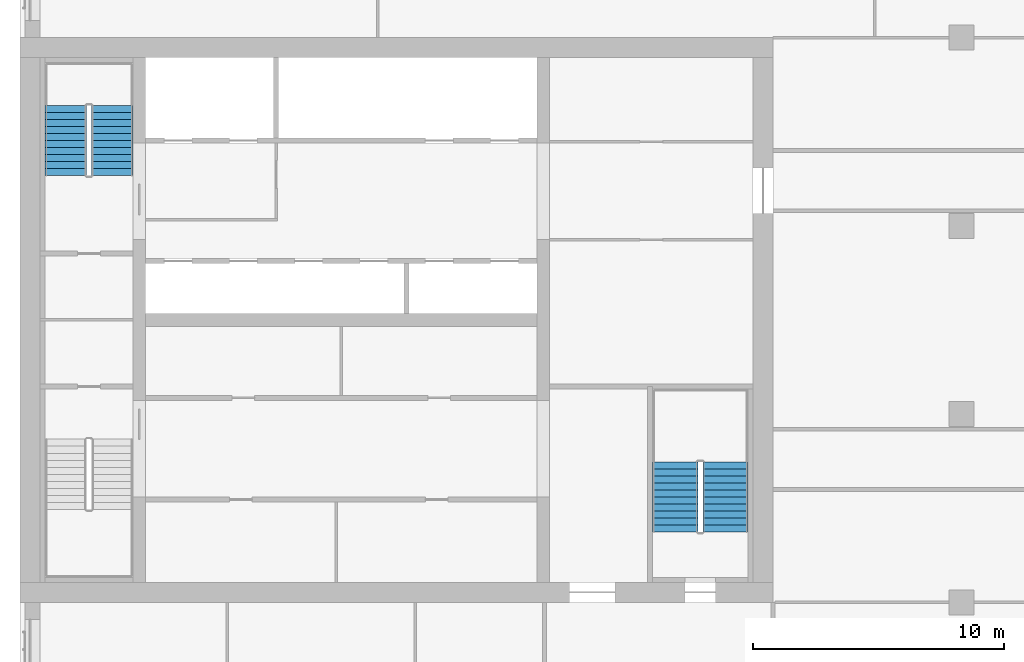
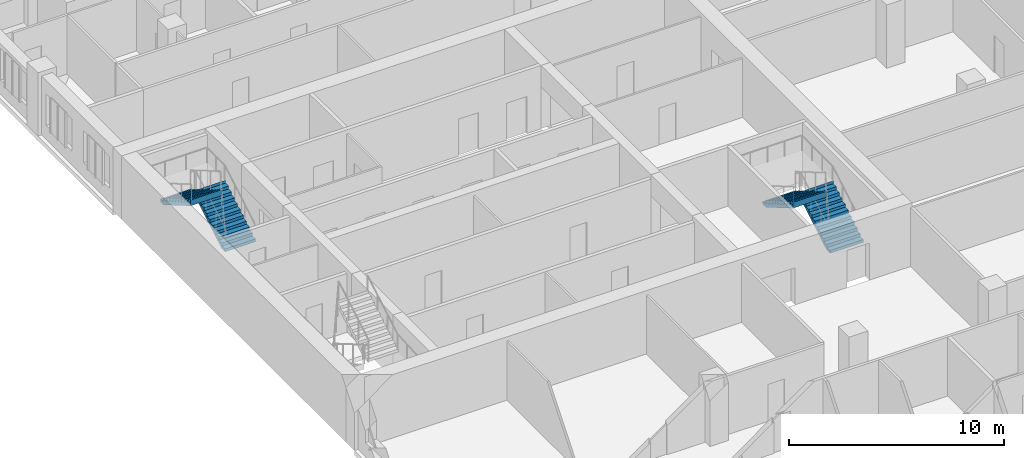
# One storey, part 12 of 13: 4 stair flights, 2 elements without a shape of their own.
"""IFC4 building model written with IfcOpenShell, lengths in metres."""

from ifc_helpers import new_model, si_unit, direction, frame, origin, place, context, subcontext, project, spatial, polyline, outline, extrude, material, type_object, element, aggregate, save


model = new_model("IFC4")

# Units and contexts
model_context = context("Model", 3, precision=1e-05, world=origin(), true_north=direction((0.0, 1.0)))
body_context = subcontext(model_context, "Body", "Model", "MODEL_VIEW")
ifc_project = project(units=[si_unit("LENGTHUNIT", "METRE"), si_unit("AREAUNIT", "SQUARE_METRE"), si_unit("VOLUMEUNIT", "CUBIC_METRE"), si_unit("PLANEANGLEUNIT", "RADIAN"), si_unit("MASSUNIT", "GRAM", prefix="KILO")], contexts=[model_context])

# Site, building, storey
site_placement = place(None, origin())
site = spatial("IfcSite", under=ifc_project, at=site_placement, CompositionType="ELEMENT")
building_placement = place(site_placement, origin())
building = spatial("IfcBuilding", under=site, at=building_placement, Name="Tamorin Gate", CompositionType="ELEMENT")
storey_placement = place(building_placement, frame((0.0, 0.0, 130.199951171875)))
storey = spatial("IfcBuildingStorey", under=building, at=storey_placement, Name="L31", CompositionType="ELEMENT", Elevation=130.199951171875)

# Stair, stair flights
ifc_material = material(Name="Concrete C40/50", Category="concrete")
stair_type = type_object("IfcStairType", Name="Exit stair", PredefinedType="HALF_TURN_STAIR", material=ifc_material)
stair_1_placement = place(storey_placement, origin())
stair_1 = element("IfcStair", 1, at=stair_1_placement, inside=storey, type_object=stair_type, Name="L31 stair ST2", PredefinedType="HALF_TURN_STAIR")
stair_flight_type = type_object("IfcStairFlightType", Name="Exit stair flight", PredefinedType="STRAIGHT", material=ifc_material)
stair_flight_1_placement = place(storey_placement, frame((33.675048828125, 77.0, 0.0), z_axis=(0.0, 0.0, 1.0), x_axis=(0.0, 1.0, 0.0)))
stair_flight_1 = element("IfcStairFlight", 2, at=stair_flight_1_placement, type_object=stair_flight_type, Name="ST2 flight 1", NumberOfRisers=11, NumberOfTreads=10, PredefinedType="STRAIGHT", RiserHeight=0.163636364, TreadLength=0.28, context=body_context, shape_type="SweptSolid", body=[
    extrude(outline(polyline([(-0.00048828125, 0.0), (-0.00048828125, 0.001708984375), (-0.00048828125, 0.003173828125), (-0.00048828125, 0.0048828125), (-0.00048828125, 0.006591796875), (-0.00048828125, 0.008056640625), (-0.00048828125, 0.009765625), (-0.00048828125, 0.01123046875), (-0.00048828125, 0.012939453125), (-0.00048828125, 0.0146484375), (-0.00048828125, 0.01611328125), (-0.00048828125, 0.017822265625), (-0.00048828125, 0.01953125), (-0.00048828125, 0.02099609375), (-0.00048828125, 0.022705078125), (-0.00048828125, 0.0244140625), (-0.00048828125, 0.02587890625), (-0.00048828125, 0.027587890625), (-0.00048828125, 0.029052734375), (-0.00048828125, 0.03076171875), (-0.00048828125, 0.032470703125), (-0.00048828125, 0.033935546875), (-0.00048828125, 0.03564453125), (-0.00048828125, 0.037353515625), (-0.00048828125, 0.038818359375), (-0.00048828125, 0.04052734375), (-0.00048828125, 0.042236328125), (-0.00048828125, 0.043701171875), (-0.00048828125, 0.04541015625), (-0.00048828125, 0.046875), (-0.00048828125, 0.048583984375), (-0.00048828125, 0.05029296875), (-0.00048828125, 0.0517578125), (-0.00048828125, 0.053466796875), (-0.00048828125, 0.05517578125), (-0.00048828125, 0.056640625), (-0.00048828125, 0.058349609375), (-0.00048828125, 0.06005859375), (-0.00048828125, 0.0615234375), (-0.00048828125, 0.063232421875), (-0.00048828125, 0.064697265625), (-0.00048828125, 0.06640625), (-0.00048828125, 0.068115234375), (-0.00048828125, 0.069580078125), (-0.00048828125, 0.0712890625), (-0.00048828125, 0.072998046875), (-0.00048828125, 0.074462890625), (-0.00048828125, 0.076171875), (-0.00048828125, 0.077880859375), (-0.00048828125, 0.079345703125), (-0.00048828125, 0.0810546875), (-0.00048828125, 0.08251953125), (-0.00048828125, 0.084228515625), (-0.00048828125, 0.0859375), (-0.00048828125, 0.08740234375), (-0.00048828125, 0.089111328125), (-0.00048828125, 0.0908203125), (-0.00048828125, 0.09228515625), (-0.00048828125, 0.093994140625), (-0.00048828125, 0.095703125), (-0.00048828125, 0.09716796875), (-0.00048828125, 0.098876953125), (-0.00048828125, 0.100341796875), (-0.00048828125, 0.10205078125), (-0.00048828125, 0.103759765625), (-0.00048828125, 0.105224609375), (-0.00048828125, 0.10693359375), (-0.00048828125, 0.108642578125), (-0.00048828125, 0.110107421875), (-0.00048828125, 0.11181640625), (-0.00048828125, 0.113525390625), (-0.00048828125, 0.114990234375), (-0.00048828125, 0.11669921875), (-0.00048828125, 0.1181640625), (-0.00048828125, 0.119873046875), (-0.00048828125, 0.12158203125), (-0.00048828125, 0.123046875), (-0.00048828125, 0.124755859375), (-0.00048828125, 0.12646484375), (-0.00048828125, 0.1279296875), (-0.00048828125, 0.129638671875), (-0.00048828125, 0.13134765625), (-0.00048828125, 0.1328125), (-0.00048828125, 0.134521484375), (-0.00048828125, 0.135986328125), (-0.00048828125, 0.1376953125), (-0.00048828125, 0.139404296875), (-0.00048828125, 0.140869140625), (-0.00048828125, 0.142578125), (-0.00048828125, 0.144287109375), (-0.00048828125, 0.145751953125), (-0.00048828125, 0.1474609375), (-0.00048828125, 0.149169921875), (-0.00048828125, 0.150634765625), (-0.00048828125, 0.15234375), (-0.00048828125, 0.15380859375), (-0.00048828125, 0.155517578125), (-0.00048828125, 0.1572265625), (-0.00048828125, 0.15869140625), (-0.00048828125, 0.160400390625), (-0.00048828125, 0.162109375), (-0.00048828125, 0.16357421875), (0.280029296875, 0.16357421875), (0.280029296875, 0.327392578125), (0.56005859375, 0.327392578125), (0.56005859375, 0.490966796875), (0.840087890625, 0.490966796875), (0.840087890625, 0.654541015625), (1.1201171875, 0.654541015625), (1.1201171875, 0.818115234375), (1.39990234375, 0.818115234375), (1.39990234375, 0.98193359375), (1.679931640625, 0.98193359375), (1.679931640625, 1.1455078125), (1.9599609375, 1.1455078125), (1.9599609375, 1.30908203125), (2.239990234375, 1.30908203125), (2.239990234375, 1.47265625), (2.52001953125, 1.47265625), (2.52001953125, 1.636474609375), (2.800048828125, 1.636474609375), (2.800048828125, 1.800048828125), (2.800537109375, 1.800048828125), (2.800537109375, 1.796630859375), (2.800537109375, 1.793212890625), (2.800537109375, 1.7900390625), (2.800537109375, 1.78662109375), (2.800537109375, 1.783203125), (2.800537109375, 1.780029296875), (2.800537109375, 1.776611328125), (2.800537109375, 1.773193359375), (2.800537109375, 1.77001953125), (2.800537109375, 1.7666015625), (2.800537109375, 1.76318359375), (2.800537109375, 1.760009765625), (2.800537109375, 1.756591796875), (2.800537109375, 1.753173828125), (2.800537109375, 1.75), (2.800537109375, 1.74658203125), (2.800537109375, 1.7431640625), (2.800537109375, 1.739990234375), (2.800537109375, 1.736572265625), (2.800537109375, 1.733154296875), (2.800537109375, 1.72998046875), (2.800537109375, 1.7265625), (2.800537109375, 1.72314453125), (2.800537109375, 1.719970703125), (2.800537109375, 1.716552734375), (2.800537109375, 1.713134765625), (2.800537109375, 1.7099609375), (2.800537109375, 1.70654296875), (2.800537109375, 1.703125), (2.800537109375, 1.69970703125), (2.800537109375, 1.696533203125), (2.800537109375, 1.693115234375), (2.800537109375, 1.689697265625), (2.800537109375, 1.6865234375), (2.800537109375, 1.68310546875), (2.800537109375, 1.6796875), (2.800537109375, 1.676513671875), (2.800537109375, 1.673095703125), (2.800537109375, 1.669677734375), (2.800537109375, 1.66650390625), (2.800537109375, 1.6630859375), (2.800537109375, 1.65966796875), (2.800537109375, 1.656494140625), (2.800537109375, 1.653076171875), (2.800537109375, 1.649658203125), (2.800537109375, 1.646484375), (2.800537109375, 1.64306640625), (2.800537109375, 1.6396484375), (2.800537109375, 1.636474609375), (2.800537109375, 1.633056640625), (2.800537109375, 1.629638671875), (2.800537109375, 1.62646484375), (2.800537109375, 1.623046875), (2.800537109375, 1.61962890625), (2.800537109375, 1.616455078125), (2.800537109375, 1.613037109375), (2.800537109375, 1.609619140625), (2.800537109375, 1.6064453125), (2.800537109375, 1.60302734375), (2.800537109375, 1.599609375), (2.800537109375, 1.59619140625), (2.800537109375, 1.593017578125), (2.800537109375, 1.589599609375), (2.800537109375, 1.586181640625), (2.800537109375, 1.5830078125), (2.800537109375, 1.57958984375), (2.800537109375, 1.576171875), (2.800537109375, 1.572998046875), (2.800537109375, 1.569580078125), (2.800537109375, 1.566162109375), (2.800537109375, 1.56298828125), (2.800537109375, 1.5595703125), (2.800537109375, 1.55615234375), (2.800537109375, 1.552978515625), (2.800537109375, 1.549560546875), (2.800537109375, 1.546142578125), (2.800537109375, 1.54296875), (2.800537109375, 1.53955078125), (2.800537109375, 1.5361328125), (2.800537109375, 1.532958984375), (2.800537109375, 1.529541015625), (2.800537109375, 1.526123046875), (2.800537109375, 1.52294921875), (2.800537109375, 1.51953125), (2.800537109375, 1.51611328125), (2.800537109375, 1.512939453125), (2.800537109375, 1.509521484375), (2.800537109375, 1.506103515625), (2.800537109375, 1.5029296875), (2.800537109375, 1.49951171875), (2.800537109375, 1.49609375), (2.800537109375, 1.49267578125), (2.800537109375, 1.489501953125), (2.800537109375, 1.486083984375), (2.800537109375, 1.482666015625), (2.800537109375, 1.4794921875), (2.800537109375, 1.47607421875), (2.800537109375, 1.47265625), (2.800537109375, 1.469482421875), (2.800537109375, 1.466064453125), (2.800537109375, 1.462646484375), (2.800048828125, 1.462646484375), (0.297119140625, 0.0), (-0.00048828125, 0.0)])), frame((0.0, 0.824951171875, 0.0), z_axis=(0.0, -1.0, 0.0), x_axis=(1.0, 0.0, 0.0)), (0.0, 0.0, 1.0), 1.64990234375),
])
stair_flight_2_placement = place(storey_placement, frame((31.824951171875, 79.800048828125, 1.800048828125), z_axis=(0.0, 0.0, 1.0), x_axis=(0.0, -1.0, 0.0)))
stair_flight_2 = element("IfcStairFlight", 3, at=stair_flight_2_placement, type_object=stair_flight_type, Name="ST2 flight 2", NumberOfRisers=11, NumberOfTreads=10, PredefinedType="STRAIGHT", RiserHeight=0.163636364, TreadLength=0.28, context=body_context, shape_type="SweptSolid", body=[
    extrude(outline(polyline([(-0.00048828125, 0.0), (-0.00048828125, 0.001708984375), (-0.00048828125, 0.003173828125), (-0.00048828125, 0.0048828125), (-0.00048828125, 0.006591796875), (-0.00048828125, 0.008056640625), (-0.00048828125, 0.009765625), (-0.00048828125, 0.01123046875), (-0.00048828125, 0.012939453125), (-0.00048828125, 0.0146484375), (-0.00048828125, 0.01611328125), (-0.00048828125, 0.017822265625), (-0.00048828125, 0.01953125), (-0.00048828125, 0.02099609375), (-0.00048828125, 0.022705078125), (-0.00048828125, 0.0244140625), (-0.00048828125, 0.02587890625), (-0.00048828125, 0.027587890625), (-0.00048828125, 0.029052734375), (-0.00048828125, 0.03076171875), (-0.00048828125, 0.032470703125), (-0.00048828125, 0.033935546875), (-0.00048828125, 0.03564453125), (-0.00048828125, 0.037353515625), (-0.00048828125, 0.038818359375), (-0.00048828125, 0.04052734375), (-0.00048828125, 0.042236328125), (-0.00048828125, 0.043701171875), (-0.00048828125, 0.04541015625), (-0.00048828125, 0.046875), (-0.00048828125, 0.048583984375), (-0.00048828125, 0.05029296875), (-0.00048828125, 0.0517578125), (-0.00048828125, 0.053466796875), (-0.00048828125, 0.05517578125), (-0.00048828125, 0.056640625), (-0.00048828125, 0.058349609375), (-0.00048828125, 0.06005859375), (-0.00048828125, 0.0615234375), (-0.00048828125, 0.063232421875), (-0.00048828125, 0.064697265625), (-0.00048828125, 0.06640625), (-0.00048828125, 0.068115234375), (-0.00048828125, 0.069580078125), (-0.00048828125, 0.0712890625), (-0.00048828125, 0.072998046875), (-0.00048828125, 0.074462890625), (-0.00048828125, 0.076171875), (-0.00048828125, 0.077880859375), (-0.00048828125, 0.079345703125), (-0.00048828125, 0.0810546875), (-0.00048828125, 0.08251953125), (-0.00048828125, 0.084228515625), (-0.00048828125, 0.0859375), (-0.00048828125, 0.08740234375), (-0.00048828125, 0.089111328125), (-0.00048828125, 0.0908203125), (-0.00048828125, 0.09228515625), (-0.00048828125, 0.093994140625), (-0.00048828125, 0.095703125), (-0.00048828125, 0.09716796875), (-0.00048828125, 0.098876953125), (-0.00048828125, 0.100341796875), (-0.00048828125, 0.10205078125), (-0.00048828125, 0.103759765625), (-0.00048828125, 0.105224609375), (-0.00048828125, 0.10693359375), (-0.00048828125, 0.108642578125), (-0.00048828125, 0.110107421875), (-0.00048828125, 0.11181640625), (-0.00048828125, 0.113525390625), (-0.00048828125, 0.114990234375), (-0.00048828125, 0.11669921875), (-0.00048828125, 0.1181640625), (-0.00048828125, 0.119873046875), (-0.00048828125, 0.12158203125), (-0.00048828125, 0.123046875), (-0.00048828125, 0.124755859375), (-0.00048828125, 0.12646484375), (-0.00048828125, 0.1279296875), (-0.00048828125, 0.129638671875), (-0.00048828125, 0.13134765625), (-0.00048828125, 0.1328125), (-0.00048828125, 0.134521484375), (-0.00048828125, 0.135986328125), (-0.00048828125, 0.1376953125), (-0.00048828125, 0.139404296875), (-0.00048828125, 0.140869140625), (-0.00048828125, 0.142578125), (-0.00048828125, 0.144287109375), (-0.00048828125, 0.145751953125), (-0.00048828125, 0.1474609375), (-0.00048828125, 0.149169921875), (-0.00048828125, 0.150634765625), (-0.00048828125, 0.15234375), (-0.00048828125, 0.15380859375), (-0.00048828125, 0.155517578125), (-0.00048828125, 0.1572265625), (-0.00048828125, 0.15869140625), (-0.00048828125, 0.160400390625), (-0.00048828125, 0.162109375), (-0.00048828125, 0.16357421875), (0.280029296875, 0.16357421875), (0.280029296875, 0.327392578125), (0.56005859375, 0.327392578125), (0.56005859375, 0.490966796875), (0.840087890625, 0.490966796875), (0.840087890625, 0.654541015625), (1.1201171875, 0.654541015625), (1.1201171875, 0.818115234375), (1.39990234375, 0.818115234375), (1.39990234375, 0.98193359375), (1.679931640625, 0.98193359375), (1.679931640625, 1.1455078125), (1.9599609375, 1.1455078125), (1.9599609375, 1.30908203125), (2.239990234375, 1.30908203125), (2.239990234375, 1.47265625), (2.52001953125, 1.47265625), (2.52001953125, 1.636474609375), (2.800048828125, 1.636474609375), (2.800048828125, 1.800048828125), (2.800537109375, 1.800048828125), (2.800537109375, 1.796630859375), (2.800537109375, 1.793212890625), (2.800537109375, 1.7900390625), (2.800537109375, 1.78662109375), (2.800537109375, 1.783203125), (2.800537109375, 1.780029296875), (2.800537109375, 1.776611328125), (2.800537109375, 1.773193359375), (2.800537109375, 1.77001953125), (2.800537109375, 1.7666015625), (2.800537109375, 1.76318359375), (2.800537109375, 1.760009765625), (2.800537109375, 1.756591796875), (2.800537109375, 1.753173828125), (2.800537109375, 1.75), (2.800537109375, 1.74658203125), (2.800537109375, 1.7431640625), (2.800537109375, 1.739990234375), (2.800537109375, 1.736572265625), (2.800537109375, 1.733154296875), (2.800537109375, 1.72998046875), (2.800537109375, 1.7265625), (2.800537109375, 1.72314453125), (2.800537109375, 1.719970703125), (2.800537109375, 1.716552734375), (2.800537109375, 1.713134765625), (2.800537109375, 1.7099609375), (2.800537109375, 1.70654296875), (2.800537109375, 1.703125), (2.800537109375, 1.69970703125), (2.800537109375, 1.696533203125), (2.800537109375, 1.693115234375), (2.800537109375, 1.689697265625), (2.800537109375, 1.6865234375), (2.800537109375, 1.68310546875), (2.800537109375, 1.6796875), (2.800537109375, 1.676513671875), (2.800537109375, 1.673095703125), (2.800537109375, 1.669677734375), (2.800537109375, 1.66650390625), (2.800537109375, 1.6630859375), (2.800537109375, 1.65966796875), (2.800537109375, 1.656494140625), (2.800537109375, 1.653076171875), (2.800537109375, 1.649658203125), (2.800537109375, 1.646484375), (2.800537109375, 1.64306640625), (2.800537109375, 1.6396484375), (2.800537109375, 1.636474609375), (2.800537109375, 1.633056640625), (2.800537109375, 1.629638671875), (2.800537109375, 1.62646484375), (2.800537109375, 1.623046875), (2.800537109375, 1.61962890625), (2.800537109375, 1.616455078125), (2.800537109375, 1.613037109375), (2.800537109375, 1.609619140625), (2.800537109375, 1.6064453125), (2.800537109375, 1.60302734375), (2.800537109375, 1.599609375), (2.800537109375, 1.59619140625), (2.800537109375, 1.593017578125), (2.800537109375, 1.589599609375), (2.800537109375, 1.586181640625), (2.800537109375, 1.5830078125), (2.800537109375, 1.57958984375), (2.800537109375, 1.576171875), (2.800537109375, 1.572998046875), (2.800537109375, 1.569580078125), (2.800537109375, 1.566162109375), (2.800537109375, 1.56298828125), (2.800537109375, 1.5595703125), (2.800537109375, 1.55615234375), (2.800537109375, 1.552978515625), (2.800537109375, 1.549560546875), (2.800537109375, 1.546142578125), (2.800537109375, 1.54296875), (2.800537109375, 1.53955078125), (2.800537109375, 1.5361328125), (2.800537109375, 1.532958984375), (2.800537109375, 1.529541015625), (2.800537109375, 1.526123046875), (2.800537109375, 1.52294921875), (2.800537109375, 1.51953125), (2.800537109375, 1.51611328125), (2.800537109375, 1.512939453125), (2.800537109375, 1.509521484375), (2.800537109375, 1.506103515625), (2.800537109375, 1.5029296875), (2.800537109375, 1.49951171875), (2.800537109375, 1.49609375), (2.800537109375, 1.49267578125), (2.800537109375, 1.489501953125), (2.800537109375, 1.486083984375), (2.800537109375, 1.482666015625), (2.800537109375, 1.4794921875), (2.800537109375, 1.47607421875), (2.800537109375, 1.47265625), (2.800537109375, 1.469482421875), (2.800537109375, 1.466064453125), (2.800537109375, 1.462646484375), (2.800048828125, 1.462646484375), (0.297119140625, 0.0), (-0.00048828125, 0.0)])), frame((0.0, 0.824951171875, 0.0), z_axis=(0.0, -1.0, 0.0), x_axis=(1.0, 0.0, 0.0)), (0.0, 0.0, 1.0), 1.64990234375),
])
aggregate(stair_1, [stair_flight_1, stair_flight_2])

stair_2_placement = place(storey_placement, origin())
stair_2 = element("IfcStair", 4, at=stair_2_placement, inside=storey, type_object=stair_type, Name="L31 stair ST3", PredefinedType="HALF_TURN_STAIR")
stair_flight_3_placement = place(storey_placement, frame((58.10009765625, 62.800048828125, 0.0), z_axis=(0.0, 0.0, 1.0), x_axis=(0.0, 1.0, 0.0)))
stair_flight_3 = element("IfcStairFlight", 5, at=stair_flight_3_placement, type_object=stair_flight_type, Name="ST3 flight 1", NumberOfRisers=11, NumberOfTreads=10, PredefinedType="STRAIGHT", RiserHeight=0.163636364, TreadLength=0.28, context=body_context, shape_type="SweptSolid", body=[
    extrude(outline(polyline([(-0.00048828125, 0.0), (-0.00048828125, 0.001708984375), (-0.00048828125, 0.003173828125), (-0.00048828125, 0.0048828125), (-0.00048828125, 0.006591796875), (-0.00048828125, 0.008056640625), (-0.00048828125, 0.009765625), (-0.00048828125, 0.01123046875), (-0.00048828125, 0.012939453125), (-0.00048828125, 0.0146484375), (-0.00048828125, 0.01611328125), (-0.00048828125, 0.017822265625), (-0.00048828125, 0.01953125), (-0.00048828125, 0.02099609375), (-0.00048828125, 0.022705078125), (-0.00048828125, 0.0244140625), (-0.00048828125, 0.02587890625), (-0.00048828125, 0.027587890625), (-0.00048828125, 0.029052734375), (-0.00048828125, 0.03076171875), (-0.00048828125, 0.032470703125), (-0.00048828125, 0.033935546875), (-0.00048828125, 0.03564453125), (-0.00048828125, 0.037353515625), (-0.00048828125, 0.038818359375), (-0.00048828125, 0.04052734375), (-0.00048828125, 0.042236328125), (-0.00048828125, 0.043701171875), (-0.00048828125, 0.04541015625), (-0.00048828125, 0.046875), (-0.00048828125, 0.048583984375), (-0.00048828125, 0.05029296875), (-0.00048828125, 0.0517578125), (-0.00048828125, 0.053466796875), (-0.00048828125, 0.05517578125), (-0.00048828125, 0.056640625), (-0.00048828125, 0.058349609375), (-0.00048828125, 0.06005859375), (-0.00048828125, 0.0615234375), (-0.00048828125, 0.063232421875), (-0.00048828125, 0.064697265625), (-0.00048828125, 0.06640625), (-0.00048828125, 0.068115234375), (-0.00048828125, 0.069580078125), (-0.00048828125, 0.0712890625), (-0.00048828125, 0.072998046875), (-0.00048828125, 0.074462890625), (-0.00048828125, 0.076171875), (-0.00048828125, 0.077880859375), (-0.00048828125, 0.079345703125), (-0.00048828125, 0.0810546875), (-0.00048828125, 0.08251953125), (-0.00048828125, 0.084228515625), (-0.00048828125, 0.0859375), (-0.00048828125, 0.08740234375), (-0.00048828125, 0.089111328125), (-0.00048828125, 0.0908203125), (-0.00048828125, 0.09228515625), (-0.00048828125, 0.093994140625), (-0.00048828125, 0.095703125), (-0.00048828125, 0.09716796875), (-0.00048828125, 0.098876953125), (-0.00048828125, 0.100341796875), (-0.00048828125, 0.10205078125), (-0.00048828125, 0.103759765625), (-0.00048828125, 0.105224609375), (-0.00048828125, 0.10693359375), (-0.00048828125, 0.108642578125), (-0.00048828125, 0.110107421875), (-0.00048828125, 0.11181640625), (-0.00048828125, 0.113525390625), (-0.00048828125, 0.114990234375), (-0.00048828125, 0.11669921875), (-0.00048828125, 0.1181640625), (-0.00048828125, 0.119873046875), (-0.00048828125, 0.12158203125), (-0.00048828125, 0.123046875), (-0.00048828125, 0.124755859375), (-0.00048828125, 0.12646484375), (-0.00048828125, 0.1279296875), (-0.00048828125, 0.129638671875), (-0.00048828125, 0.13134765625), (-0.00048828125, 0.1328125), (-0.00048828125, 0.134521484375), (-0.00048828125, 0.135986328125), (-0.00048828125, 0.1376953125), (-0.00048828125, 0.139404296875), (-0.00048828125, 0.140869140625), (-0.00048828125, 0.142578125), (-0.00048828125, 0.144287109375), (-0.00048828125, 0.145751953125), (-0.00048828125, 0.1474609375), (-0.00048828125, 0.149169921875), (-0.00048828125, 0.150634765625), (-0.00048828125, 0.15234375), (-0.00048828125, 0.15380859375), (-0.00048828125, 0.155517578125), (-0.00048828125, 0.1572265625), (-0.00048828125, 0.15869140625), (-0.00048828125, 0.160400390625), (-0.00048828125, 0.162109375), (-0.00048828125, 0.16357421875), (0.280029296875, 0.16357421875), (0.280029296875, 0.327392578125), (0.56005859375, 0.327392578125), (0.56005859375, 0.490966796875), (0.840087890625, 0.490966796875), (0.840087890625, 0.654541015625), (1.1201171875, 0.654541015625), (1.1201171875, 0.818115234375), (1.39990234375, 0.818115234375), (1.39990234375, 0.98193359375), (1.679931640625, 0.98193359375), (1.679931640625, 1.1455078125), (1.9599609375, 1.1455078125), (1.9599609375, 1.30908203125), (2.239990234375, 1.30908203125), (2.239990234375, 1.47265625), (2.52001953125, 1.47265625), (2.52001953125, 1.636474609375), (2.800048828125, 1.636474609375), (2.800048828125, 1.800048828125), (2.800537109375, 1.800048828125), (2.800537109375, 1.796630859375), (2.800537109375, 1.793212890625), (2.800537109375, 1.7900390625), (2.800537109375, 1.78662109375), (2.800537109375, 1.783203125), (2.800537109375, 1.780029296875), (2.800537109375, 1.776611328125), (2.800537109375, 1.773193359375), (2.800537109375, 1.77001953125), (2.800537109375, 1.7666015625), (2.800537109375, 1.76318359375), (2.800537109375, 1.760009765625), (2.800537109375, 1.756591796875), (2.800537109375, 1.753173828125), (2.800537109375, 1.75), (2.800537109375, 1.74658203125), (2.800537109375, 1.7431640625), (2.800537109375, 1.739990234375), (2.800537109375, 1.736572265625), (2.800537109375, 1.733154296875), (2.800537109375, 1.72998046875), (2.800537109375, 1.7265625), (2.800537109375, 1.72314453125), (2.800537109375, 1.719970703125), (2.800537109375, 1.716552734375), (2.800537109375, 1.713134765625), (2.800537109375, 1.7099609375), (2.800537109375, 1.70654296875), (2.800537109375, 1.703125), (2.800537109375, 1.69970703125), (2.800537109375, 1.696533203125), (2.800537109375, 1.693115234375), (2.800537109375, 1.689697265625), (2.800537109375, 1.6865234375), (2.800537109375, 1.68310546875), (2.800537109375, 1.6796875), (2.800537109375, 1.676513671875), (2.800537109375, 1.673095703125), (2.800537109375, 1.669677734375), (2.800537109375, 1.66650390625), (2.800537109375, 1.6630859375), (2.800537109375, 1.65966796875), (2.800537109375, 1.656494140625), (2.800537109375, 1.653076171875), (2.800537109375, 1.649658203125), (2.800537109375, 1.646484375), (2.800537109375, 1.64306640625), (2.800537109375, 1.6396484375), (2.800537109375, 1.636474609375), (2.800537109375, 1.633056640625), (2.800537109375, 1.629638671875), (2.800537109375, 1.62646484375), (2.800537109375, 1.623046875), (2.800537109375, 1.61962890625), (2.800537109375, 1.616455078125), (2.800537109375, 1.613037109375), (2.800537109375, 1.609619140625), (2.800537109375, 1.6064453125), (2.800537109375, 1.60302734375), (2.800537109375, 1.599609375), (2.800537109375, 1.59619140625), (2.800537109375, 1.593017578125), (2.800537109375, 1.589599609375), (2.800537109375, 1.586181640625), (2.800537109375, 1.5830078125), (2.800537109375, 1.57958984375), (2.800537109375, 1.576171875), (2.800537109375, 1.572998046875), (2.800537109375, 1.569580078125), (2.800537109375, 1.566162109375), (2.800537109375, 1.56298828125), (2.800537109375, 1.5595703125), (2.800537109375, 1.55615234375), (2.800537109375, 1.552978515625), (2.800537109375, 1.549560546875), (2.800537109375, 1.546142578125), (2.800537109375, 1.54296875), (2.800537109375, 1.53955078125), (2.800537109375, 1.5361328125), (2.800537109375, 1.532958984375), (2.800537109375, 1.529541015625), (2.800537109375, 1.526123046875), (2.800537109375, 1.52294921875), (2.800537109375, 1.51953125), (2.800537109375, 1.51611328125), (2.800537109375, 1.512939453125), (2.800537109375, 1.509521484375), (2.800537109375, 1.506103515625), (2.800537109375, 1.5029296875), (2.800537109375, 1.49951171875), (2.800537109375, 1.49609375), (2.800537109375, 1.49267578125), (2.800537109375, 1.489501953125), (2.800537109375, 1.486083984375), (2.800537109375, 1.482666015625), (2.800537109375, 1.4794921875), (2.800537109375, 1.47607421875), (2.800537109375, 1.47265625), (2.800537109375, 1.469482421875), (2.800537109375, 1.466064453125), (2.800537109375, 1.462646484375), (2.800048828125, 1.462646484375), (0.297119140625, 0.0), (-0.00048828125, 0.0)])), frame((0.0, 0.89990234375, 0.0), z_axis=(0.0, -1.0, 0.0), x_axis=(1.0, 0.0, 0.0)), (0.0, 0.0, 1.0), 1.800048828125),
])
stair_flight_4_placement = place(storey_placement, frame((56.10009765625, 65.60009765625, 1.800048828125), z_axis=(0.0, 0.0, 1.0), x_axis=(0.0, -1.0, 0.0)))
stair_flight_4 = element("IfcStairFlight", 6, at=stair_flight_4_placement, type_object=stair_flight_type, Name="ST3 flight 2", NumberOfRisers=11, NumberOfTreads=10, PredefinedType="STRAIGHT", RiserHeight=0.163636364, TreadLength=0.28, context=body_context, shape_type="SweptSolid", body=[
    extrude(outline(polyline([(-0.00048828125, 0.0), (-0.00048828125, 0.001708984375), (-0.00048828125, 0.003173828125), (-0.00048828125, 0.0048828125), (-0.00048828125, 0.006591796875), (-0.00048828125, 0.008056640625), (-0.00048828125, 0.009765625), (-0.00048828125, 0.01123046875), (-0.00048828125, 0.012939453125), (-0.00048828125, 0.0146484375), (-0.00048828125, 0.01611328125), (-0.00048828125, 0.017822265625), (-0.00048828125, 0.01953125), (-0.00048828125, 0.02099609375), (-0.00048828125, 0.022705078125), (-0.00048828125, 0.0244140625), (-0.00048828125, 0.02587890625), (-0.00048828125, 0.027587890625), (-0.00048828125, 0.029052734375), (-0.00048828125, 0.03076171875), (-0.00048828125, 0.032470703125), (-0.00048828125, 0.033935546875), (-0.00048828125, 0.03564453125), (-0.00048828125, 0.037353515625), (-0.00048828125, 0.038818359375), (-0.00048828125, 0.04052734375), (-0.00048828125, 0.042236328125), (-0.00048828125, 0.043701171875), (-0.00048828125, 0.04541015625), (-0.00048828125, 0.046875), (-0.00048828125, 0.048583984375), (-0.00048828125, 0.05029296875), (-0.00048828125, 0.0517578125), (-0.00048828125, 0.053466796875), (-0.00048828125, 0.05517578125), (-0.00048828125, 0.056640625), (-0.00048828125, 0.058349609375), (-0.00048828125, 0.06005859375), (-0.00048828125, 0.0615234375), (-0.00048828125, 0.063232421875), (-0.00048828125, 0.064697265625), (-0.00048828125, 0.06640625), (-0.00048828125, 0.068115234375), (-0.00048828125, 0.069580078125), (-0.00048828125, 0.0712890625), (-0.00048828125, 0.072998046875), (-0.00048828125, 0.074462890625), (-0.00048828125, 0.076171875), (-0.00048828125, 0.077880859375), (-0.00048828125, 0.079345703125), (-0.00048828125, 0.0810546875), (-0.00048828125, 0.08251953125), (-0.00048828125, 0.084228515625), (-0.00048828125, 0.0859375), (-0.00048828125, 0.08740234375), (-0.00048828125, 0.089111328125), (-0.00048828125, 0.0908203125), (-0.00048828125, 0.09228515625), (-0.00048828125, 0.093994140625), (-0.00048828125, 0.095703125), (-0.00048828125, 0.09716796875), (-0.00048828125, 0.098876953125), (-0.00048828125, 0.100341796875), (-0.00048828125, 0.10205078125), (-0.00048828125, 0.103759765625), (-0.00048828125, 0.105224609375), (-0.00048828125, 0.10693359375), (-0.00048828125, 0.108642578125), (-0.00048828125, 0.110107421875), (-0.00048828125, 0.11181640625), (-0.00048828125, 0.113525390625), (-0.00048828125, 0.114990234375), (-0.00048828125, 0.11669921875), (-0.00048828125, 0.1181640625), (-0.00048828125, 0.119873046875), (-0.00048828125, 0.12158203125), (-0.00048828125, 0.123046875), (-0.00048828125, 0.124755859375), (-0.00048828125, 0.12646484375), (-0.00048828125, 0.1279296875), (-0.00048828125, 0.129638671875), (-0.00048828125, 0.13134765625), (-0.00048828125, 0.1328125), (-0.00048828125, 0.134521484375), (-0.00048828125, 0.135986328125), (-0.00048828125, 0.1376953125), (-0.00048828125, 0.139404296875), (-0.00048828125, 0.140869140625), (-0.00048828125, 0.142578125), (-0.00048828125, 0.144287109375), (-0.00048828125, 0.145751953125), (-0.00048828125, 0.1474609375), (-0.00048828125, 0.149169921875), (-0.00048828125, 0.150634765625), (-0.00048828125, 0.15234375), (-0.00048828125, 0.15380859375), (-0.00048828125, 0.155517578125), (-0.00048828125, 0.1572265625), (-0.00048828125, 0.15869140625), (-0.00048828125, 0.160400390625), (-0.00048828125, 0.162109375), (-0.00048828125, 0.16357421875), (0.280029296875, 0.16357421875), (0.280029296875, 0.327392578125), (0.56005859375, 0.327392578125), (0.56005859375, 0.490966796875), (0.840087890625, 0.490966796875), (0.840087890625, 0.654541015625), (1.1201171875, 0.654541015625), (1.1201171875, 0.818115234375), (1.39990234375, 0.818115234375), (1.39990234375, 0.98193359375), (1.679931640625, 0.98193359375), (1.679931640625, 1.1455078125), (1.9599609375, 1.1455078125), (1.9599609375, 1.30908203125), (2.239990234375, 1.30908203125), (2.239990234375, 1.47265625), (2.52001953125, 1.47265625), (2.52001953125, 1.636474609375), (2.800048828125, 1.636474609375), (2.800048828125, 1.800048828125), (2.800537109375, 1.800048828125), (2.800537109375, 1.796630859375), (2.800537109375, 1.793212890625), (2.800537109375, 1.7900390625), (2.800537109375, 1.78662109375), (2.800537109375, 1.783203125), (2.800537109375, 1.780029296875), (2.800537109375, 1.776611328125), (2.800537109375, 1.773193359375), (2.800537109375, 1.77001953125), (2.800537109375, 1.7666015625), (2.800537109375, 1.76318359375), (2.800537109375, 1.760009765625), (2.800537109375, 1.756591796875), (2.800537109375, 1.753173828125), (2.800537109375, 1.75), (2.800537109375, 1.74658203125), (2.800537109375, 1.7431640625), (2.800537109375, 1.739990234375), (2.800537109375, 1.736572265625), (2.800537109375, 1.733154296875), (2.800537109375, 1.72998046875), (2.800537109375, 1.7265625), (2.800537109375, 1.72314453125), (2.800537109375, 1.719970703125), (2.800537109375, 1.716552734375), (2.800537109375, 1.713134765625), (2.800537109375, 1.7099609375), (2.800537109375, 1.70654296875), (2.800537109375, 1.703125), (2.800537109375, 1.69970703125), (2.800537109375, 1.696533203125), (2.800537109375, 1.693115234375), (2.800537109375, 1.689697265625), (2.800537109375, 1.6865234375), (2.800537109375, 1.68310546875), (2.800537109375, 1.6796875), (2.800537109375, 1.676513671875), (2.800537109375, 1.673095703125), (2.800537109375, 1.669677734375), (2.800537109375, 1.66650390625), (2.800537109375, 1.6630859375), (2.800537109375, 1.65966796875), (2.800537109375, 1.656494140625), (2.800537109375, 1.653076171875), (2.800537109375, 1.649658203125), (2.800537109375, 1.646484375), (2.800537109375, 1.64306640625), (2.800537109375, 1.6396484375), (2.800537109375, 1.636474609375), (2.800537109375, 1.633056640625), (2.800537109375, 1.629638671875), (2.800537109375, 1.62646484375), (2.800537109375, 1.623046875), (2.800537109375, 1.61962890625), (2.800537109375, 1.616455078125), (2.800537109375, 1.613037109375), (2.800537109375, 1.609619140625), (2.800537109375, 1.6064453125), (2.800537109375, 1.60302734375), (2.800537109375, 1.599609375), (2.800537109375, 1.59619140625), (2.800537109375, 1.593017578125), (2.800537109375, 1.589599609375), (2.800537109375, 1.586181640625), (2.800537109375, 1.5830078125), (2.800537109375, 1.57958984375), (2.800537109375, 1.576171875), (2.800537109375, 1.572998046875), (2.800537109375, 1.569580078125), (2.800537109375, 1.566162109375), (2.800537109375, 1.56298828125), (2.800537109375, 1.5595703125), (2.800537109375, 1.55615234375), (2.800537109375, 1.552978515625), (2.800537109375, 1.549560546875), (2.800537109375, 1.546142578125), (2.800537109375, 1.54296875), (2.800537109375, 1.53955078125), (2.800537109375, 1.5361328125), (2.800537109375, 1.532958984375), (2.800537109375, 1.529541015625), (2.800537109375, 1.526123046875), (2.800537109375, 1.52294921875), (2.800537109375, 1.51953125), (2.800537109375, 1.51611328125), (2.800537109375, 1.512939453125), (2.800537109375, 1.509521484375), (2.800537109375, 1.506103515625), (2.800537109375, 1.5029296875), (2.800537109375, 1.49951171875), (2.800537109375, 1.49609375), (2.800537109375, 1.49267578125), (2.800537109375, 1.489501953125), (2.800537109375, 1.486083984375), (2.800537109375, 1.482666015625), (2.800537109375, 1.4794921875), (2.800537109375, 1.47607421875), (2.800537109375, 1.47265625), (2.800537109375, 1.469482421875), (2.800537109375, 1.466064453125), (2.800537109375, 1.462646484375), (2.800048828125, 1.462646484375), (0.297119140625, 0.0), (-0.00048828125, 0.0)])), frame((0.0, 0.89990234375, 0.0), z_axis=(0.0, -1.0, 0.0), x_axis=(1.0, 0.0, 0.0)), (0.0, 0.0, 1.0), 1.800048828125),
])
aggregate(stair_2, [stair_flight_3, stair_flight_4])

save(model, "model.ifc")
